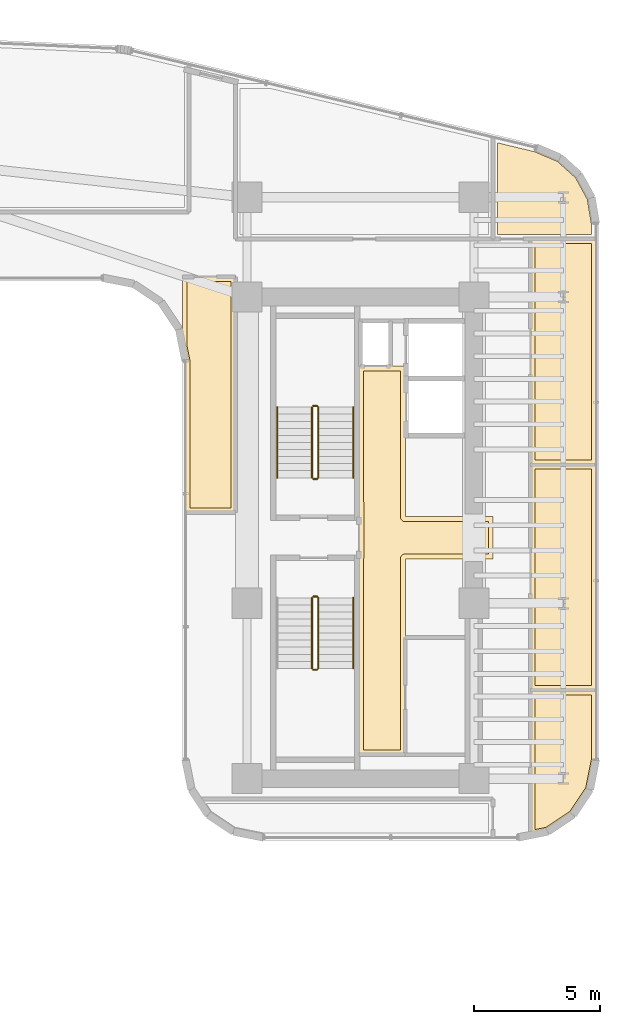
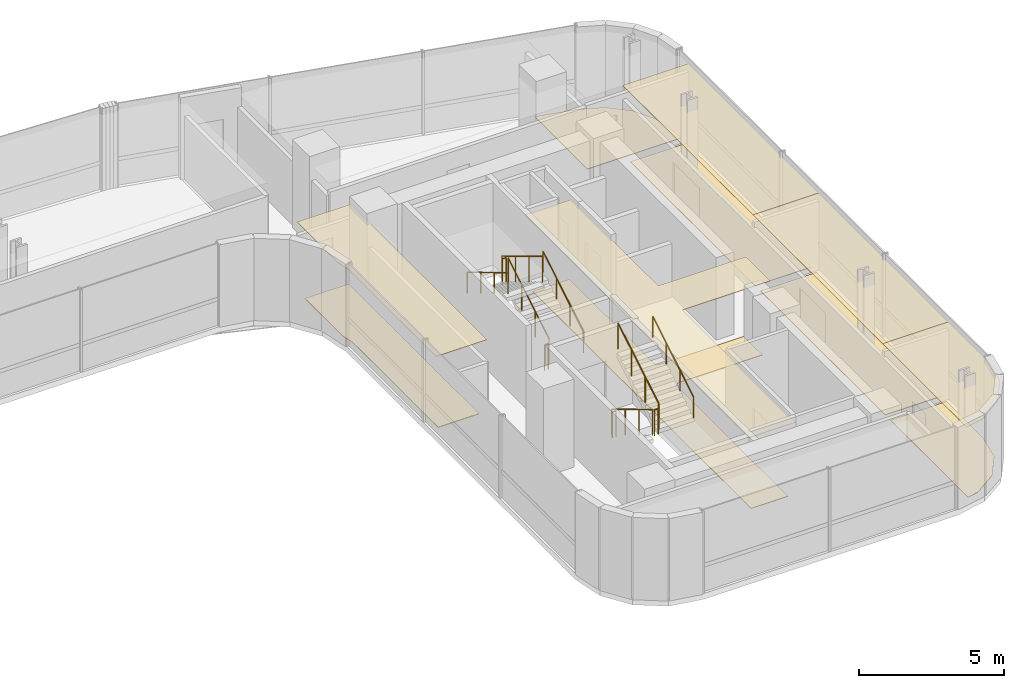
# One storey, part 34 of 35: 11 coverings, 11 railings.
"""IFC4 building model written with IfcOpenShell, lengths in metres."""

import ifcopenshell
import ifcopenshell.guid

model = None  # the IFC model being written
_history = None  # IfcOwnerHistory: only IFC2X3 demands one
_inside = {}  # id of a spatial element -> (the spatial element, [elements in it])
_under = {}  # id of a project, library or spatial element -> (it, [spatial elements below it])
_declared = {}  # id of a project -> (the project, [libraries it declares])
_typed = {}  # id of a type object -> (the type object, [elements of that type])
_made_of = {}  # id of a material, layer set ... -> (it, [elements and type objects made of it])


def new_model(schema):
    """Start an empty IFC model of exactly this schema.

    Asked for "IFC4X3", IfcOpenShell would pick the latest addendum, in which some entities
    have other attributes; the version numbers below select the first issue.
    IFC2X3 requires an IfcOwnerHistory on every rooted entity: one is made here for all.
    """
    global model, _history
    if schema == "IFC4X3":
        model = ifcopenshell.file(schema_version=(4, 3, 0, 0))
    else:
        model = ifcopenshell.file(schema=schema)
    _inside.clear()
    _under.clear()
    _declared.clear()
    _typed.clear()
    _made_of.clear()
    _history = None
    if model.schema == "IFC2X3":
        org = make("IfcOrganization", Name="unknown")
        user = make(
            "IfcPersonAndOrganization",
            ThePerson=make("IfcPerson", FamilyName="unknown"),
            TheOrganization=org,
        )
        app = make(
            "IfcApplication",
            ApplicationDeveloper=org,
            Version="unknown",
            ApplicationFullName="unknown",
            ApplicationIdentifier="unknown",
        )
        _history = make(
            "IfcOwnerHistory",
            OwningUser=user,
            OwningApplication=app,
            ChangeAction="ADDED",
            CreationDate=0,
        )
    return model


def make(cls, **values):
    """One entity of the class cls with the attributes given. An attribute that is None is left unset."""
    return model.create_entity(
        cls, **{name: value for name, value in values.items() if value is not None}
    )


def rooted(cls, **values):
    """An entity with a GlobalId (a new one), such as an element, a storey or a relation."""
    return make(cls, GlobalId=ifcopenshell.guid.new(), OwnerHistory=_history, **values)


def si_unit(unit_type, name, prefix=None):
    """IfcSIUnit, for example si_unit("LENGTHUNIT", "METRE", prefix="MILLI")."""
    return make("IfcSIUnit", UnitType=unit_type, Prefix=prefix, Name=name)


def assignment(units):
    """IfcUnitAssignment: the units of a project."""
    return None if units is None else make("IfcUnitAssignment", Units=units)


def point(xyz):
    """IfcCartesianPoint."""
    return None if xyz is None else make("IfcCartesianPoint", Coordinates=xyz)


def direction(xyz):
    """IfcDirection."""
    return None if xyz is None else make("IfcDirection", DirectionRatios=xyz)


def frame(location, z_axis=None, x_axis=None):
    """IfcAxis2Placement3D, a coordinate frame: its origin and axes. An axis left out is left unset."""
    return make(
        "IfcAxis2Placement3D",
        Location=point(location),
        Axis=direction(z_axis),
        RefDirection=direction(x_axis),
    )


def frame_2d(location, x_axis=None):
    """IfcAxis2Placement2D, a coordinate frame in the plane: its origin and x axis."""
    return make(
        "IfcAxis2Placement2D", Location=point(location), RefDirection=direction(x_axis)
    )


def origin():
    """The frame at (0, 0, 0) with its axes left unset."""
    return frame((0.0, 0.0, 0.0))


def origin_2d():
    """The frame at (0, 0) in the plane with its x axis left unset."""
    return frame_2d((0.0, 0.0))


def place(relative_to, where):
    """IfcLocalPlacement: puts the frame where relative to a parent placement (None: the world)."""
    return make(
        "IfcLocalPlacement", PlacementRelTo=relative_to, RelativePlacement=where
    )


def context(
    kind, dimensions, precision=None, world=None, true_north=None, identifier=None
):
    """IfcGeometricRepresentationContext, for example the 3D "Model" context."""
    return make(
        "IfcGeometricRepresentationContext",
        ContextIdentifier=identifier,
        ContextType=kind,
        CoordinateSpaceDimension=dimensions,
        Precision=precision,
        WorldCoordinateSystem=world,
        TrueNorth=true_north,
    )


def subcontext(parent, identifier, kind, view, scale=None):
    """IfcGeometricRepresentationSubContext, for example "Body" below "Model"."""
    return make(
        "IfcGeometricRepresentationSubContext",
        ContextIdentifier=identifier,
        ContextType=kind,
        ParentContext=parent,
        TargetScale=scale,
        TargetView=view,
    )


def project(units=None, contexts=None):
    """IfcProject with its units and contexts."""
    return rooted(
        "IfcProject",
        Name="project",
        RepresentationContexts=contexts,
        UnitsInContext=assignment(units),
    )


def spatial(cls, under=None, at=None, **own):
    """A site, building, storey or space (cls), placed at a placement, below another one or the project."""
    s = rooted(cls, ObjectPlacement=at, **own)
    if under is not None:
        _under.setdefault(under.id(), (under, []))[1].append(s)
    return s


def polyline(points):
    """IfcPolyline through the points."""
    return make("IfcPolyline", Points=[point(p) for p in points])


def profile(cls, at=None, kind="AREA", **sizes):
    """A parametric profile (cls). Its sizes go by their IFC names, for example OverallWidth=200.0."""
    return make(cls, ProfileType=kind, Position=at, **sizes)


def circle(**sizes):
    """IfcCircleProfileDef."""
    return profile("IfcCircleProfileDef", **sizes)


def outline(outer, holes=None, kind="AREA"):
    """IfcArbitraryClosedProfileDef: a profile drawn as a closed curve; with holes, ...WithVoids."""
    if holes is None:
        return make("IfcArbitraryClosedProfileDef", ProfileType=kind, OuterCurve=outer)
    return make(
        "IfcArbitraryProfileDefWithVoids",
        ProfileType=kind,
        OuterCurve=outer,
        InnerCurves=holes,
    )


def extrude(swept, where, along, depth):
    """IfcExtrudedAreaSolid: the profile swept, set in the frame where, extruded along a direction by depth."""
    return make(
        "IfcExtrudedAreaSolid",
        SweptArea=swept,
        Position=where,
        ExtrudedDirection=direction(along),
        Depth=depth,
    )


def shape(context_of_items, identifier, shape_type, items):
    """IfcShapeRepresentation: the items that make up one representation, for example the "Body"."""
    return make(
        "IfcShapeRepresentation",
        ContextOfItems=context_of_items,
        RepresentationIdentifier=identifier,
        RepresentationType=shape_type,
        Items=items,
    )


def material(Name=None, Category=None):
    """IfcMaterial."""
    return make("IfcMaterial", Name=Name, Category=Category)


def layer(
    of_material, thickness, ventilated=None, Name=None, Category=None, Priority=None
):
    """IfcMaterialLayer: one layer of a wall or slab, of a material (None: an air gap)."""
    return make(
        "IfcMaterialLayer",
        Material=of_material,
        LayerThickness=thickness,
        IsVentilated=ventilated,
        Name=Name,
        Category=Category,
        Priority=Priority,
    )


def layer_set(layers, Name=None):
    """IfcMaterialLayerSet."""
    return make("IfcMaterialLayerSet", MaterialLayers=layers, LayerSetName=Name)


def made_of(thing, what):
    """Note that an element or type object is made of a material, layer set ...; save() writes the relation."""
    if what is not None:
        _made_of.setdefault(what.id(), (what, []))[1].append(thing)
    return thing


def type_object(cls, material=None, **own):
    """A type object (cls), such as IfcWallType, which elements share."""
    return made_of(rooted(cls, **own), material)


def element(
    cls,
    number,
    at=None,
    inside=None,
    cuts=None,
    type_object=None,
    material=None,
    context=None,
    identifier="Body",
    shape_type=None,
    held_by="IfcProductDefinitionShape",
    body=None,
    shapes=None,
    **own,
):
    """One element of the class cls, such as IfcWall. Its Tag is "e" and its number.

    at: its placement. inside: the storey or other place that contains it. cuts: it is an
    opening in that element (IfcRelVoidsElement). A single representation is given by context,
    identifier, shape_type and body (its items); several are given by shapes. held_by: the class
    of the entity that holds the representations. save() writes the other relations.
    """
    e = rooted(cls, Tag="e%d" % number, ObjectPlacement=at, **own)
    if body is not None:
        shapes = [shape(context, identifier, shape_type, body)]
    if shapes is not None:
        e.Representation = make(held_by, Representations=shapes)
    if inside is not None:
        _inside.setdefault(inside.id(), (inside, []))[1].append(e)
    if cuts is not None:
        rooted(
            "IfcRelVoidsElement", RelatingBuildingElement=cuts, RelatedOpeningElement=e
        )
    if type_object is not None:
        _typed.setdefault(type_object.id(), (type_object, []))[1].append(e)
    return made_of(e, material)


def aggregate(whole, parts):
    """IfcRelAggregates: a whole, such as a stair, and the parts it consists of."""
    return rooted("IfcRelAggregates", RelatingObject=whole, RelatedObjects=parts)


def save(model, path):
    """Write the relations noted so far, then the file.

    IfcRelAggregates (storeys below a building ...), IfcRelContainedInSpatialStructure (elements
    in a storey), IfcRelDefinesByType, IfcRelAssociatesMaterial and IfcRelDeclares: one each for
    every whole, place, type object, material and project.
    """
    for whole, parts in _under.values():
        aggregate(whole, parts)
    for where, things in _inside.values():
        rooted(
            "IfcRelContainedInSpatialStructure",
            RelatedElements=things,
            RelatingStructure=where,
        )
    for kind, things in _typed.values():
        rooted("IfcRelDefinesByType", RelatedObjects=things, RelatingType=kind)
    for what, things in _made_of.values():
        rooted("IfcRelAssociatesMaterial", RelatedObjects=things, RelatingMaterial=what)
    for by, libraries in _declared.values():
        rooted("IfcRelDeclares", RelatingContext=by, RelatedDefinitions=libraries)
    model.write(path)


model = new_model("IFC4")

# Units and contexts
model_context = context("Model", 3, precision=1e-05, world=origin(), true_north=direction((0.0, 1.0)))
body_context = subcontext(model_context, "Body", "Model", "MODEL_VIEW")
ifc_project = project(units=[si_unit("LENGTHUNIT", "METRE"), si_unit("AREAUNIT", "SQUARE_METRE"), si_unit("VOLUMEUNIT", "CUBIC_METRE"), si_unit("PLANEANGLEUNIT", "RADIAN"), si_unit("MASSUNIT", "GRAM", prefix="KILO")], contexts=[model_context])

# Site, building, storey
site_placement = place(None, origin())
site = spatial("IfcSite", under=ifc_project, at=site_placement, CompositionType="ELEMENT")
building_placement = place(site_placement, origin())
building = spatial("IfcBuilding", under=site, at=building_placement, Name="Valdorenza Pilgrim Sanctuary Tower", CompositionType="ELEMENT")
storey_placement = place(building_placement, frame((0.0, 0.0, 150.10009765625)))
storey = spatial("IfcBuildingStorey", under=building, at=storey_placement, Name="L38", CompositionType="ELEMENT", Elevation=150.10009765625)

# Coverings
ifc_material_1 = material(Name="Micro-perforated acoustic mineral ceiling tile", Category="gypsum")
ifc_layer_1 = layer(ifc_material_1, 0.02490234375, Name="Micro-perforated acoustic mineral ceiling tile")
ifc_layer_set_1 = layer_set([ifc_layer_1], Name="Micro-perforated acoustic mineral ceiling tile")
covering_type_1 = type_object("IfcCoveringType", Name="COV-CLG-ACU", PredefinedType="CEILING", material=ifc_layer_set_1)
covering_1_placement = place(storey_placement, frame((0.0, 0.0, 3.159912109375)))
element("IfcCovering", 1, at=covering_1_placement, inside=storey, type_object=covering_type_1, Name="L38 Core B Passenger Lift Lobby Acoustic Ceiling", PredefinedType="CEILING", context=body_context, shape_type="SweptSolid", body=[
    extrude(outline(polyline([(20.287109375, -0.814697265625), (20.287109375, 0.814697265625), (20.28662109375, 0.815185546875), (20.2861328125, 0.81640625), (20.28564453125, 0.81787109375), (20.285400390625, 0.819091796875), (20.28515625, 0.820556640625), (20.284912109375, 0.822021484375), (20.284912109375, 6.800048828125), (20.28515625, 6.801513671875), (20.285400390625, 6.802978515625), (20.28564453125, 6.804443359375), (20.2861328125, 6.8056640625), (20.286865234375, 6.80712890625), (20.28759765625, 6.808349609375), (20.288330078125, 6.8095703125), (20.289306640625, 6.810546875), (20.29052734375, 6.8115234375), (20.291748046875, 6.8125), (20.29296875, 6.813232421875), (20.294189453125, 6.81396484375), (20.295654296875, 6.814453125), (20.297119140625, 6.814697265625), (20.298583984375, 6.81494140625), (20.300048828125, 6.81494140625), (20.347900390625, 6.81494140625), (20.349365234375, 6.81494140625), (20.350830078125, 6.814697265625), (20.352294921875, 6.814453125), (20.353515625, 6.81396484375), (20.35498046875, 6.813232421875), (20.35546875, 6.81298828125), (21.544677734375, 6.81298828125), (21.545166015625, 6.813232421875), (21.54638671875, 6.81396484375), (21.5478515625, 6.814453125), (21.54931640625, 6.814697265625), (21.550537109375, 6.81494140625), (21.552001953125, 6.81494140625), (22.1201171875, 6.81494140625), (22.12158203125, 6.81494140625), (22.122802734375, 6.814697265625), (22.12451171875, 6.814453125), (22.125732421875, 6.81396484375), (22.127197265625, 6.813232421875), (22.12841796875, 6.8125), (22.12939453125, 6.8115234375), (22.130615234375, 6.810546875), (22.131591796875, 6.8095703125), (22.132568359375, 6.808349609375), (22.13330078125, 6.80712890625), (22.1337890625, 6.8056640625), (22.134521484375, 6.804443359375), (22.134765625, 6.802978515625), (22.135009765625, 6.801513671875), (22.135009765625, 6.800048828125), (22.135009765625, 0.8349609375), (25.60009765625, 0.8349609375), (25.6015625, 0.8349609375), (25.602783203125, 0.834716796875), (25.6044921875, 0.83447265625), (25.605712890625, 0.833984375), (25.607177734375, 0.833251953125), (25.6083984375, 0.83251953125), (25.609619140625, 0.83154296875), (25.610595703125, 0.83056640625), (25.611572265625, 0.82958984375), (25.612548828125, 0.828369140625), (25.61328125, 0.8271484375), (25.614013671875, 0.82568359375), (25.614501953125, 0.824462890625), (25.61474609375, 0.822998046875), (25.614990234375, 0.821533203125), (25.614990234375, 0.820068359375), (25.614990234375, -0.820068359375), (25.614990234375, -0.821533203125), (25.61474609375, -0.822998046875), (25.614501953125, -0.824462890625), (25.614013671875, -0.82568359375), (25.61328125, -0.8271484375), (25.612548828125, -0.828369140625), (25.611572265625, -0.82958984375), (25.610595703125, -0.83056640625), (25.609619140625, -0.83154296875), (25.6083984375, -0.83251953125), (25.607177734375, -0.833251953125), (25.605712890625, -0.833984375), (25.6044921875, -0.83447265625), (25.602783203125, -0.834716796875), (25.6015625, -0.8349609375), (25.60009765625, -0.8349609375), (22.135009765625, -0.8349609375), (22.135009765625, -8.60009765625), (22.135009765625, -8.6015625), (22.134765625, -8.602783203125), (22.134521484375, -8.6044921875), (22.1337890625, -8.605712890625), (22.13330078125, -8.607177734375), (22.132568359375, -8.6083984375), (22.131591796875, -8.609619140625), (22.130615234375, -8.610595703125), (22.12939453125, -8.611572265625), (22.12841796875, -8.612548828125), (22.127197265625, -8.61328125), (22.125732421875, -8.614013671875), (22.12451171875, -8.614501953125), (22.122802734375, -8.61474609375), (22.12158203125, -8.614990234375), (22.1201171875, -8.614990234375), (20.300048828125, -8.614990234375), (20.298583984375, -8.614990234375), (20.297119140625, -8.61474609375), (20.295654296875, -8.614501953125), (20.294189453125, -8.614013671875), (20.29296875, -8.61328125), (20.291748046875, -8.612548828125), (20.29052734375, -8.611572265625), (20.289306640625, -8.610595703125), (20.288330078125, -8.609619140625), (20.28759765625, -8.6083984375), (20.286865234375, -8.607177734375), (20.2861328125, -8.605712890625), (20.28564453125, -8.6044921875), (20.285400390625, -8.602783203125), (20.28515625, -8.6015625), (20.284912109375, -8.60009765625), (20.284912109375, -0.822021484375), (20.28515625, -0.820556640625), (20.285400390625, -0.819091796875), (20.28564453125, -0.81787109375), (20.2861328125, -0.81640625), (20.28662109375, -0.815185546875), (20.287109375, -0.814697265625)])), origin(), (0.0, 0.0, 1.0), 0.02490234375),
])
covering_2_placement = place(storey_placement, frame((0.0, 0.0, 3.159912109375)))
element("IfcCovering", 2, at=covering_2_placement, inside=storey, type_object=covering_type_1, Name="L38 East Reading Lounge L38-EB1 Acoustic Ceiling", PredefinedType="CEILING", context=body_context, shape_type="SweptSolid", body=[
    extrude(outline(polyline([(29.68994140625, -6.034912109375), (29.69140625, -6.03515625), (29.69287109375, -6.035400390625), (29.6943359375, -6.03564453125), (29.69580078125, -6.0361328125), (29.697021484375, -6.036865234375), (29.6982421875, -6.03759765625), (29.699462890625, -6.038330078125), (29.70068359375, -6.039306640625), (29.70166015625, -6.04052734375), (29.702392578125, -6.041748046875), (29.703125, -6.04296875), (29.703857421875, -6.044189453125), (29.704345703125, -6.045654296875), (29.70458984375, -6.047119140625), (29.704833984375, -6.048583984375), (29.705078125, -6.050048828125), (29.705078125, -8.789306640625), (29.704833984375, -8.79052734375), (29.70458984375, -8.7919921875), (29.467529296875, -9.984619140625), (29.467041015625, -9.986083984375), (29.466552734375, -9.9873046875), (29.466064453125, -9.98876953125), (29.46533203125, -9.989990234375), (28.7958984375, -10.99169921875), (28.794921875, -10.992919921875), (28.7939453125, -10.993896484375), (28.79296875, -10.9951171875), (28.791748046875, -10.995849609375), (27.7900390625, -11.665283203125), (27.788818359375, -11.666015625), (27.787353515625, -11.66650390625), (27.785888671875, -11.6669921875), (27.78466796875, -11.66748046875), (27.102783203125, -11.802978515625), (27.1015625, -11.80322265625), (27.10009765625, -11.803466796875), (27.098388671875, -11.80322265625), (27.09716796875, -11.802978515625), (27.095703125, -11.802734375), (27.09423828125, -11.80224609375), (27.093017578125, -11.801513671875), (27.091796875, -11.80078125), (27.090576171875, -11.800048828125), (27.08935546875, -11.799072265625), (27.08837890625, -11.7978515625), (27.08740234375, -11.796630859375), (27.0869140625, -11.79541015625), (27.086181640625, -11.794189453125), (27.085693359375, -11.792724609375), (27.085205078125, -11.791259765625), (27.085205078125, -11.789794921875), (27.0849609375, -11.788330078125), (27.0849609375, -6.050048828125), (27.085205078125, -6.048583984375), (27.085205078125, -6.047119140625), (27.085693359375, -6.045654296875), (27.086181640625, -6.044189453125), (27.0869140625, -6.04296875), (27.08740234375, -6.041748046875), (27.08837890625, -6.04052734375), (27.08935546875, -6.039306640625), (27.090576171875, -6.038330078125), (27.091796875, -6.03759765625), (27.093017578125, -6.036865234375), (27.09423828125, -6.0361328125), (27.095703125, -6.03564453125), (27.09716796875, -6.035400390625), (27.098388671875, -6.03515625), (27.10009765625, -6.034912109375), (29.68994140625, -6.034912109375)])), origin(), (0.0, 0.0, 1.0), 0.02490234375),
])
covering_3_placement = place(storey_placement, frame((0.0, 0.0, 3.159912109375)))
element("IfcCovering", 3, at=covering_3_placement, inside=storey, type_object=covering_type_1, Name="L38 East Reading Lounge L38-EB2 Acoustic Ceiling", PredefinedType="CEILING", context=body_context, shape_type="SweptSolid", body=[
    extrude(outline(polyline([(27.0849609375, 2.89990234375), (27.085205078125, 2.901611328125), (27.085205078125, 2.90283203125), (27.085693359375, 2.904296875), (27.086181640625, 2.90576171875), (27.0869140625, 2.906982421875), (27.08740234375, 2.908203125), (27.08837890625, 2.909423828125), (27.08935546875, 2.91064453125), (27.090576171875, 2.91162109375), (27.091796875, 2.91259765625), (27.093017578125, 2.9130859375), (27.09423828125, 2.913818359375), (27.095703125, 2.914306640625), (27.09716796875, 2.914794921875), (27.098388671875, 2.914794921875), (27.10009765625, 2.9150390625), (29.68994140625, 2.9150390625), (29.69140625, 2.914794921875), (29.69287109375, 2.914794921875), (29.6943359375, 2.914306640625), (29.69580078125, 2.913818359375), (29.697021484375, 2.9130859375), (29.6982421875, 2.91259765625), (29.699462890625, 2.91162109375), (29.70068359375, 2.91064453125), (29.70166015625, 2.909423828125), (29.702392578125, 2.908203125), (29.703125, 2.906982421875), (29.703857421875, 2.90576171875), (29.704345703125, 2.904296875), (29.70458984375, 2.90283203125), (29.704833984375, 2.901611328125), (29.705078125, 2.89990234375), (29.705078125, -6.048095703125), (29.704833984375, -6.049560546875), (29.70458984375, -6.05078125), (29.704345703125, -6.052490234375), (29.703857421875, -6.0537109375), (29.703125, -6.05517578125), (29.702392578125, -6.056396484375), (29.70166015625, -6.0576171875), (29.70068359375, -6.05859375), (29.699462890625, -6.0595703125), (29.6982421875, -6.060546875), (29.697021484375, -6.061279296875), (29.69580078125, -6.06201171875), (29.6943359375, -6.0625), (29.69287109375, -6.062744140625), (29.69140625, -6.06298828125), (29.68994140625, -6.06298828125), (27.10009765625, -6.06298828125), (27.098388671875, -6.06298828125), (27.09716796875, -6.062744140625), (27.095703125, -6.0625), (27.09423828125, -6.06201171875), (27.093017578125, -6.061279296875), (27.091796875, -6.060546875), (27.090576171875, -6.0595703125), (27.08935546875, -6.05859375), (27.08837890625, -6.0576171875), (27.08740234375, -6.056396484375), (27.0869140625, -6.05517578125), (27.086181640625, -6.0537109375), (27.085693359375, -6.052490234375), (27.085205078125, -6.05078125), (27.085205078125, -6.049560546875), (27.0849609375, -6.048095703125), (27.0849609375, 2.89990234375)])), origin(), (0.0, 0.0, 1.0), 0.02490234375),
])
covering_4_placement = place(storey_placement, frame((0.0, 0.0, 3.159912109375)))
element("IfcCovering", 4, at=covering_4_placement, inside=storey, type_object=covering_type_1, Name="L38 East Reading Lounge L38-EB3 Acoustic Ceiling", PredefinedType="CEILING", context=body_context, shape_type="SweptSolid", body=[
    extrude(outline(polyline([(27.0849609375, 11.847900390625), (27.085205078125, 11.849609375), (27.085205078125, 11.850830078125), (27.085693359375, 11.852294921875), (27.086181640625, 11.853759765625), (27.0869140625, 11.85498046875), (27.08740234375, 11.856201171875), (27.08837890625, 11.857421875), (27.08935546875, 11.858642578125), (27.090576171875, 11.859619140625), (27.091796875, 11.860595703125), (27.093017578125, 11.861083984375), (27.09423828125, 11.86181640625), (27.095703125, 11.8623046875), (27.09716796875, 11.86279296875), (27.098388671875, 11.86279296875), (27.10009765625, 11.863037109375), (29.68994140625, 11.863037109375), (29.69140625, 11.86279296875), (29.69287109375, 11.86279296875), (29.6943359375, 11.8623046875), (29.69580078125, 11.86181640625), (29.697021484375, 11.861083984375), (29.6982421875, 11.860595703125), (29.699462890625, 11.859619140625), (29.70068359375, 11.858642578125), (29.70166015625, 11.857421875), (29.702392578125, 11.856201171875), (29.703125, 11.85498046875), (29.703857421875, 11.853759765625), (29.704345703125, 11.852294921875), (29.70458984375, 11.850830078125), (29.704833984375, 11.849609375), (29.705078125, 11.847900390625), (29.705078125, 2.902099609375), (29.704833984375, 2.900390625), (29.70458984375, 2.899169921875), (29.704345703125, 2.897705078125), (29.703857421875, 2.896240234375), (29.703125, 2.89501953125), (29.702392578125, 2.893798828125), (29.70166015625, 2.892578125), (29.70068359375, 2.891357421875), (29.699462890625, 2.890380859375), (29.6982421875, 2.889404296875), (29.697021484375, 2.888916015625), (29.69580078125, 2.88818359375), (29.6943359375, 2.8876953125), (29.69287109375, 2.88720703125), (29.69140625, 2.88720703125), (29.68994140625, 2.886962890625), (27.10009765625, 2.886962890625), (27.098388671875, 2.88720703125), (27.09716796875, 2.88720703125), (27.095703125, 2.8876953125), (27.09423828125, 2.88818359375), (27.093017578125, 2.888916015625), (27.091796875, 2.889404296875), (27.090576171875, 2.890380859375), (27.08935546875, 2.891357421875), (27.08837890625, 2.892578125), (27.08740234375, 2.893798828125), (27.0869140625, 2.89501953125), (27.086181640625, 2.896240234375), (27.085693359375, 2.897705078125), (27.085205078125, 2.899169921875), (27.085205078125, 2.900390625), (27.0849609375, 2.902099609375), (27.0849609375, 11.847900390625)])), origin(), (0.0, 0.0, 1.0), 0.02490234375),
])
covering_5_placement = place(storey_placement, frame((0.0, 0.0, 3.159912109375)))
element("IfcCovering", 5, at=covering_5_placement, inside=storey, type_object=covering_type_1, Name="L38 Courtyard Overlook Salon L38 Acoustic Ceiling", PredefinedType="CEILING", context=body_context, shape_type="SweptSolid", body=[
    extrude(outline(polyline([(15.39990234375, 10.364990234375), (15.401611328125, 10.364990234375), (15.40283203125, 10.36474609375), (15.404296875, 10.364501953125), (15.40576171875, 10.364013671875), (15.406982421875, 10.36328125), (15.408203125, 10.362548828125), (15.409423828125, 10.361572265625), (15.41064453125, 10.360595703125), (15.41162109375, 10.359619140625), (15.41259765625, 10.3583984375), (15.4130859375, 10.357177734375), (15.413818359375, 10.355712890625), (15.414306640625, 10.3544921875), (15.414794921875, 10.352783203125), (15.414794921875, 10.3515625), (15.4150390625, 10.35009765625), (15.4150390625, 1.0), (15.414794921875, 0.99853515625), (15.414794921875, 0.9970703125), (15.414306640625, 0.99560546875), (15.413818359375, 0.994384765625), (15.4130859375, 0.992919921875), (15.41259765625, 0.99169921875), (15.41162109375, 0.990478515625), (15.41064453125, 0.989501953125), (15.409423828125, 0.98828125), (15.408203125, 0.987548828125), (15.406982421875, 0.98681640625), (15.40576171875, 0.986083984375), (15.404296875, 0.985595703125), (15.40283203125, 0.9853515625), (15.401611328125, 0.985107421875), (15.39990234375, 0.985107421875), (13.409912109375, 0.985107421875), (13.408447265625, 0.985107421875), (13.406982421875, 0.9853515625), (13.405517578125, 0.985595703125), (13.404296875, 0.986083984375), (13.40283203125, 0.98681640625), (13.401611328125, 0.987548828125), (13.400390625, 0.98828125), (13.3994140625, 0.989501953125), (13.3984375, 0.990478515625), (13.3974609375, 0.99169921875), (13.396728515625, 0.992919921875), (13.39599609375, 0.994384765625), (13.3955078125, 0.99560546875), (13.395263671875, 0.9970703125), (13.39501953125, 0.99853515625), (13.39501953125, 1.0), (13.39501953125, 6.99951171875), (13.39453125, 7.00927734375), (13.39306640625, 7.018798828125), (13.285400390625, 7.560791015625), (13.28515625, 7.562255859375), (13.284912109375, 7.563720703125), (13.284912109375, 10.35009765625), (13.28515625, 10.3515625), (13.285400390625, 10.352783203125), (13.28564453125, 10.3544921875), (13.2861328125, 10.355712890625), (13.286865234375, 10.357177734375), (13.28759765625, 10.3583984375), (13.288330078125, 10.359619140625), (13.289306640625, 10.360595703125), (13.29052734375, 10.361572265625), (13.291748046875, 10.362548828125), (13.29296875, 10.36328125), (13.294189453125, 10.364013671875), (13.295654296875, 10.364501953125), (13.297119140625, 10.36474609375), (13.298583984375, 10.364990234375), (13.300048828125, 10.364990234375), (15.39990234375, 10.364990234375)])), origin(), (0.0, 0.0, 1.0), 0.02490234375),
])
ifc_material_2 = material(Name="Honed travertine stone flooring", Category="masonry")
ifc_layer_2 = layer(ifc_material_2, 0.030029296875, Name="Honed travertine stone flooring")
ifc_layer_set_2 = layer_set([ifc_layer_2], Name="Honed travertine stone flooring")
covering_type_2 = type_object("IfcCoveringType", Name="COV-FLR-TRV", PredefinedType="FLOORING", material=ifc_layer_set_2)
covering_6_placement = place(storey_placement, origin())
element("IfcCovering", 6, at=covering_6_placement, inside=storey, type_object=covering_type_2, Name="L38 Core B Passenger Lift Lobby Flooring", PredefinedType="FLOORING", context=body_context, shape_type="SweptSolid", body=[
    extrude(outline(polyline([(20.47998046875, 6.617919921875), (21.550048828125, 6.617919921875), (21.550537109375, 6.617919921875), (21.93994140625, 6.619384765625), (21.93994140625, 0.820068359375), (21.94091796875, 0.802490234375), (21.943603515625, 0.784912109375), (21.94775390625, 0.767578125), (21.95361328125, 0.751220703125), (21.961181640625, 0.735107421875), (21.97021484375, 0.719970703125), (21.98095703125, 0.705810546875), (21.99267578125, 0.692626953125), (22.005859375, 0.680908203125), (22.02001953125, 0.67041015625), (22.03515625, 0.661376953125), (22.051025390625, 0.65380859375), (22.067626953125, 0.647705078125), (22.0849609375, 0.6435546875), (22.102294921875, 0.640869140625), (22.1201171875, 0.639892578125), (25.419921875, 0.639892578125), (25.419921875, -0.639892578125), (22.1201171875, -0.639892578125), (22.102294921875, -0.640869140625), (22.0849609375, -0.6435546875), (22.067626953125, -0.647705078125), (22.051025390625, -0.65380859375), (22.03515625, -0.661376953125), (22.02001953125, -0.67041015625), (22.005859375, -0.680908203125), (21.99267578125, -0.692626953125), (21.98095703125, -0.705810546875), (21.97021484375, -0.719970703125), (21.961181640625, -0.735107421875), (21.95361328125, -0.751220703125), (21.94775390625, -0.767578125), (21.943603515625, -0.784912109375), (21.94091796875, -0.802490234375), (21.93994140625, -0.820068359375), (21.93994140625, -8.419921875), (20.47998046875, -8.419921875), (20.47998046875, -0.846923828125), (20.47998046875, -0.8466796875), (20.47998046875, -0.8466796875), (20.481689453125, -0.8291015625), (20.481689453125, -0.828857421875), (20.48193359375, -0.820068359375), (20.48193359375, 0.820068359375), (20.47998046875, 6.617919921875)])), origin(), (0.0, 0.0, 1.0), 0.02490234375),
])
covering_7_placement = place(storey_placement, origin())
element("IfcCovering", 7, at=covering_7_placement, inside=storey, type_object=covering_type_2, Name="L38 East Wing Reference Library L38-BNE Flooring", PredefinedType="FLOORING", context=body_context, shape_type="SweptSolid", body=[
    extrude(outline(polyline([(27.25390625, 15.311279296875), (28.16552734375, 14.923583984375), (28.88134765625, 14.275390625), (29.345458984375, 13.427978515625), (29.510009765625, 12.451416015625), (29.510009765625, 12.030029296875), (25.781982421875, 12.030029296875), (25.781982421875, 15.66357421875), (27.25390625, 15.311279296875)])), origin(), (0.0, 0.0, 1.0), 0.02490234375),
])
covering_8_placement = place(storey_placement, origin())
element("IfcCovering", 8, at=covering_8_placement, inside=storey, type_object=covering_type_2, Name="L38 East Reading Lounge L38-EB1 Flooring", PredefinedType="FLOORING", context=body_context, shape_type="SweptSolid", body=[
    extrude(outline(polyline([(29.510009765625, -6.22998046875), (29.510009765625, -8.771484375), (29.283203125, -9.911376953125), (28.653564453125, -10.853515625), (27.71142578125, -11.483154296875), (27.280029296875, -11.569091796875), (27.280029296875, -6.22998046875), (29.510009765625, -6.22998046875)])), origin(), (0.0, 0.0, 1.0), 0.02490234375),
])
covering_9_placement = place(storey_placement, origin())
element("IfcCovering", 9, at=covering_9_placement, inside=storey, type_object=covering_type_2, Name="L38 East Reading Lounge L38-EB2 Flooring", PredefinedType="FLOORING", context=body_context, shape_type="SweptSolid", body=[
    extrude(outline(polyline([(27.280029296875, 2.719970703125), (29.510009765625, 2.719970703125), (29.510009765625, -5.867919921875), (27.280029296875, -5.867919921875), (27.280029296875, 2.719970703125)])), origin(), (0.0, 0.0, 1.0), 0.02490234375),
])
covering_10_placement = place(storey_placement, origin())
element("IfcCovering", 10, at=covering_10_placement, inside=storey, type_object=covering_type_2, Name="L38 East Reading Lounge L38-EB3 Flooring", PredefinedType="FLOORING", context=body_context, shape_type="SweptSolid", body=[
    extrude(outline(polyline([(27.280029296875, 11.66796875), (29.510009765625, 11.66796875), (29.510009765625, 3.08203125), (27.280029296875, 3.08203125), (27.280029296875, 11.66796875)])), origin(), (0.0, 0.0, 1.0), 0.02490234375),
])
covering_11_placement = place(storey_placement, origin())
element("IfcCovering", 11, at=covering_11_placement, inside=storey, type_object=covering_type_2, Name="L38 Courtyard Overlook Salon L38 Flooring", PredefinedType="FLOORING", context=body_context, shape_type="SweptSolid", body=[
    extrude(outline(polyline([(15.219970703125, 10.169921875), (15.219970703125, 1.179931640625), (13.590087890625, 1.179931640625), (13.590087890625, 7.0), (13.58984375, 7.0087890625), (13.58935546875, 7.01953125), (13.58740234375, 7.037109375), (13.5859375, 7.0478515625), (13.58447265625, 7.056640625), (13.47998046875, 7.58154296875), (13.47998046875, 10.169921875), (15.219970703125, 10.169921875)])), origin(), (0.0, 0.0, 1.0), 0.02490234375),
])

# Railings
ifc_material_3 = material(Name="Stainless steel Grade 316", Category="steel")
railing_type_1 = type_object("IfcRailingType", Name="RLG-GRD-1120", PredefinedType="GUARDRAIL", material=ifc_material_3)
railing_1_placement = place(storey_placement, frame((18.679931640625, 2.3798828125, 0.16796875)))
element("IfcRailing", 12, at=railing_1_placement, inside=storey, type_object=railing_type_1, Name="L38 ST-B1 stair guard 1", PredefinedType="GUARDRAIL", context=body_context, shape_type="SweptSolid", body=[
    extrude(circle(Radius=0.02392578125, at=origin_2d()), frame((0.0, 0.0, 1.076171875), z_axis=(0.0, 0.857242210791, 0.514913383045), x_axis=(-1.0, 0.0, 0.0)), (0.0, 0.0, 1.0), 3.266357421875),
    extrude(circle(Radius=0.02099609375, at=origin_2d()), origin(), (0.0, 0.0, 1.0), 1.052001953125),
    extrude(circle(Radius=0.02099609375, at=origin_2d()), frame((0.0, 0.933349609375, 0.560546875)), (0.0, 0.0, 1.0), 1.052001953125),
    extrude(circle(Radius=0.02099609375, at=origin_2d()), frame((0.0, 1.86669921875, 1.121337890625)), (0.0, 0.0, 1.0), 1.052001953125),
    extrude(circle(Radius=0.02099609375, at=origin_2d()), frame((0.0, 2.800048828125, 1.681884765625)), (0.0, 0.0, 1.0), 1.052001953125),
])
railing_2_placement = place(storey_placement, frame((18.6298828125, 5.22998046875, 1.849853515625)))
element("IfcRailing", 13, at=railing_2_placement, inside=storey, type_object=railing_type_1, Name="L38 ST-B1 stair guard 2", PredefinedType="GUARDRAIL", context=body_context, shape_type="SweptSolid", body=[
    extrude(circle(Radius=0.02392578125, at=origin_2d()), frame((0.0, 0.0, 1.076171875), z_axis=(-1.0, 0.0, 0.0), x_axis=(0.0, -1.0, 0.0)), (0.0, 0.0, 1.0), 0.14990234375),
    extrude(circle(Radius=0.02099609375, at=origin_2d()), origin(), (0.0, 0.0, 1.0), 1.052001953125),
    extrude(circle(Radius=0.02099609375, at=origin_2d()), frame((-0.14990234375, 0.0, 0.0)), (0.0, 0.0, 1.0), 1.052001953125),
])
railing_3_placement = place(storey_placement, frame((18.429931640625, 5.179931640625, 2.01806640625)))
element("IfcRailing", 14, at=railing_3_placement, inside=storey, type_object=railing_type_1, Name="L38 ST-B1 stair guard 3", PredefinedType="GUARDRAIL", context=body_context, shape_type="SweptSolid", body=[
    extrude(circle(Radius=0.02392578125, at=origin_2d()), frame((0.0, 0.0, 1.076171875), z_axis=(0.0, -0.857242210791, 0.514913383045), x_axis=(1.0, 0.0, 0.0)), (0.0, 0.0, 1.0), 3.266357421875),
    extrude(circle(Radius=0.02099609375, at=origin_2d()), origin(), (0.0, 0.0, 1.0), 1.052001953125),
    extrude(circle(Radius=0.02099609375, at=origin_2d()), frame((0.0, -0.933349609375, 0.560546875)), (0.0, 0.0, 1.0), 1.052001953125),
    extrude(circle(Radius=0.02099609375, at=origin_2d()), frame((0.0, -1.86669921875, 1.121337890625)), (0.0, 0.0, 1.0), 1.052001953125),
    extrude(circle(Radius=0.02099609375, at=origin_2d()), frame((0.0, -2.800048828125, 1.681884765625)), (0.0, 0.0, 1.0), 1.052001953125),
])
railing_4_placement = place(storey_placement, frame((18.6298828125, 2.330078125, 0.0)))
element("IfcRailing", 15, at=railing_4_placement, inside=storey, type_object=railing_type_1, Name="L38 ST-B1 stair guard 4", PredefinedType="GUARDRAIL", context=body_context, shape_type="SweptSolid", body=[
    extrude(circle(Radius=0.02392578125, at=origin_2d()), frame((0.0, 0.0, 1.076171875), z_axis=(-1.0, 0.0, 0.0), x_axis=(0.0, -1.0, 0.0)), (0.0, 0.0, 1.0), 0.14990234375),
    extrude(circle(Radius=0.02099609375, at=origin_2d()), origin(), (0.0, 0.0, 1.0), 1.052001953125),
    extrude(circle(Radius=0.02099609375, at=origin_2d()), frame((-0.14990234375, 0.0, 0.0)), (0.0, 0.0, 1.0), 1.052001953125),
])
railing_5_placement = place(storey_placement, frame((18.429931640625, -2.3798828125, 0.16796875)))
element("IfcRailing", 16, at=railing_5_placement, inside=storey, type_object=railing_type_1, Name="L38 ST-B2 stair guard 1", PredefinedType="GUARDRAIL", context=body_context, shape_type="SweptSolid", body=[
    extrude(circle(Radius=0.02392578125, at=origin_2d()), frame((0.0, 0.0, 1.076171875), z_axis=(0.0, -0.857242210791, 0.514913383045), x_axis=(1.0, 0.0, 0.0)), (0.0, 0.0, 1.0), 3.266357421875),
    extrude(circle(Radius=0.02099609375, at=origin_2d()), origin(), (0.0, 0.0, 1.0), 1.052001953125),
    extrude(circle(Radius=0.02099609375, at=origin_2d()), frame((0.0, -0.933349609375, 0.560546875)), (0.0, 0.0, 1.0), 1.052001953125),
    extrude(circle(Radius=0.02099609375, at=origin_2d()), frame((0.0, -1.86669921875, 1.121337890625)), (0.0, 0.0, 1.0), 1.052001953125),
    extrude(circle(Radius=0.02099609375, at=origin_2d()), frame((0.0, -2.800048828125, 1.681884765625)), (0.0, 0.0, 1.0), 1.052001953125),
])
railing_6_placement = place(storey_placement, frame((18.47998046875, -5.22998046875, 1.849853515625)))
element("IfcRailing", 17, at=railing_6_placement, inside=storey, type_object=railing_type_1, Name="L38 ST-B2 stair guard 2", PredefinedType="GUARDRAIL", context=body_context, shape_type="SweptSolid", body=[
    extrude(circle(Radius=0.02392578125, at=origin_2d()), frame((0.0, 0.0, 1.076171875), z_axis=(1.0, 0.0, 0.0), x_axis=(0.0, 1.0, 0.0)), (0.0, 0.0, 1.0), 0.14990234375),
    extrude(circle(Radius=0.02099609375, at=origin_2d()), origin(), (0.0, 0.0, 1.0), 1.052001953125),
    extrude(circle(Radius=0.02099609375, at=origin_2d()), frame((0.14990234375, 0.0, 0.0)), (0.0, 0.0, 1.0), 1.052001953125),
])
railing_7_placement = place(storey_placement, frame((18.679931640625, -5.179931640625, 2.01806640625)))
element("IfcRailing", 18, at=railing_7_placement, inside=storey, type_object=railing_type_1, Name="L38 ST-B2 stair guard 3", PredefinedType="GUARDRAIL", context=body_context, shape_type="SweptSolid", body=[
    extrude(circle(Radius=0.02392578125, at=origin_2d()), frame((0.0, 0.0, 1.076171875), z_axis=(0.0, 0.857242210791, 0.514913383045), x_axis=(-1.0, 0.0, 0.0)), (0.0, 0.0, 1.0), 3.266357421875),
    extrude(circle(Radius=0.02099609375, at=origin_2d()), origin(), (0.0, 0.0, 1.0), 1.052001953125),
    extrude(circle(Radius=0.02099609375, at=origin_2d()), frame((0.0, 0.933349609375, 0.560546875)), (0.0, 0.0, 1.0), 1.052001953125),
    extrude(circle(Radius=0.02099609375, at=origin_2d()), frame((0.0, 1.86669921875, 1.121337890625)), (0.0, 0.0, 1.0), 1.052001953125),
    extrude(circle(Radius=0.02099609375, at=origin_2d()), frame((0.0, 2.800048828125, 1.681884765625)), (0.0, 0.0, 1.0), 1.052001953125),
])
railing_8_placement = place(storey_placement, frame((18.47998046875, -2.330078125, 0.0)))
element("IfcRailing", 19, at=railing_8_placement, inside=storey, type_object=railing_type_1, Name="L38 ST-B2 stair guard 4", PredefinedType="GUARDRAIL", context=body_context, shape_type="SweptSolid", body=[
    extrude(circle(Radius=0.02392578125, at=origin_2d()), frame((0.0, 0.0, 1.076171875), z_axis=(1.0, 0.0, 0.0), x_axis=(0.0, 1.0, 0.0)), (0.0, 0.0, 1.0), 0.14990234375),
    extrude(circle(Radius=0.02099609375, at=origin_2d()), origin(), (0.0, 0.0, 1.0), 1.052001953125),
    extrude(circle(Radius=0.02099609375, at=origin_2d()), frame((0.14990234375, 0.0, 0.0)), (0.0, 0.0, 1.0), 1.052001953125),
])
ifc_material_4 = material(Name="Brushed stainless steel Grade 316", Category="steel")
railing_type_2 = type_object("IfcRailingType", Name="RLG-HND-920", PredefinedType="HANDRAIL", material=ifc_material_4)
railing_9_placement = place(storey_placement, frame((20.06005859375, 2.3798828125, 0.16796875)))
element("IfcRailing", 20, at=railing_9_placement, inside=storey, type_object=railing_type_2, Name="L38 ST-B1 stair handrail 1", PredefinedType="HANDRAIL", context=body_context, shape_type="SweptSolid", body=[
    extrude(circle(Radius=0.02392578125, at=origin_2d()), frame((0.0, 0.0, 0.8759765625), z_axis=(0.0, 0.857242210791, 0.514913383045), x_axis=(-1.0, 0.0, 0.0)), (0.0, 0.0, 1.0), 3.266357421875),
    extrude(circle(Radius=0.02099609375, at=origin_2d()), origin(), (0.0, 0.0, 1.0), 0.851806640625),
    extrude(circle(Radius=0.02099609375, at=origin_2d()), frame((0.0, 0.933349609375, 0.560546875)), (0.0, 0.0, 1.0), 0.851806640625),
    extrude(circle(Radius=0.02099609375, at=origin_2d()), frame((0.0, 1.86669921875, 1.121337890625)), (0.0, 0.0, 1.0), 0.851806640625),
    extrude(circle(Radius=0.02099609375, at=origin_2d()), frame((0.0, 2.800048828125, 1.681884765625)), (0.0, 0.0, 1.0), 0.851806640625),
])
railing_10_placement = place(storey_placement, frame((17.050048828125, 5.179931640625, 2.01806640625)))
element("IfcRailing", 21, at=railing_10_placement, inside=storey, type_object=railing_type_2, Name="L38 ST-B1 stair handrail 2", PredefinedType="HANDRAIL", context=body_context, shape_type="SweptSolid", body=[
    extrude(circle(Radius=0.02392578125, at=origin_2d()), frame((0.0, 0.0, 0.8759765625), z_axis=(0.0, -0.857242210791, 0.514913383045), x_axis=(1.0, 0.0, 0.0)), (0.0, 0.0, 1.0), 3.266357421875),
    extrude(circle(Radius=0.02099609375, at=origin_2d()), origin(), (0.0, 0.0, 1.0), 0.851806640625),
    extrude(circle(Radius=0.02099609375, at=origin_2d()), frame((0.0, -0.933349609375, 0.560546875)), (0.0, 0.0, 1.0), 0.851806640625),
    extrude(circle(Radius=0.02099609375, at=origin_2d()), frame((0.0, -1.86669921875, 1.121337890625)), (0.0, 0.0, 1.0), 0.851806640625),
    extrude(circle(Radius=0.02099609375, at=origin_2d()), frame((0.0, -2.800048828125, 1.681884765625)), (0.0, 0.0, 1.0), 0.851806640625),
])
railing_11_placement = place(storey_placement, frame((20.06005859375, -5.179931640625, 2.01806640625)))
element("IfcRailing", 22, at=railing_11_placement, inside=storey, type_object=railing_type_2, Name="L38 ST-B2 stair handrail 2", PredefinedType="HANDRAIL", context=body_context, shape_type="SweptSolid", body=[
    extrude(circle(Radius=0.02392578125, at=origin_2d()), frame((0.0, 0.0, 0.8759765625), z_axis=(0.0, 0.857242210791, 0.514913383045), x_axis=(-1.0, 0.0, 0.0)), (0.0, 0.0, 1.0), 3.266357421875),
    extrude(circle(Radius=0.02099609375, at=origin_2d()), origin(), (0.0, 0.0, 1.0), 0.851806640625),
    extrude(circle(Radius=0.02099609375, at=origin_2d()), frame((0.0, 0.933349609375, 0.560546875)), (0.0, 0.0, 1.0), 0.851806640625),
    extrude(circle(Radius=0.02099609375, at=origin_2d()), frame((0.0, 1.86669921875, 1.121337890625)), (0.0, 0.0, 1.0), 0.851806640625),
    extrude(circle(Radius=0.02099609375, at=origin_2d()), frame((0.0, 2.800048828125, 1.681884765625)), (0.0, 0.0, 1.0), 0.851806640625),
])

save(model, "model.ifc")
